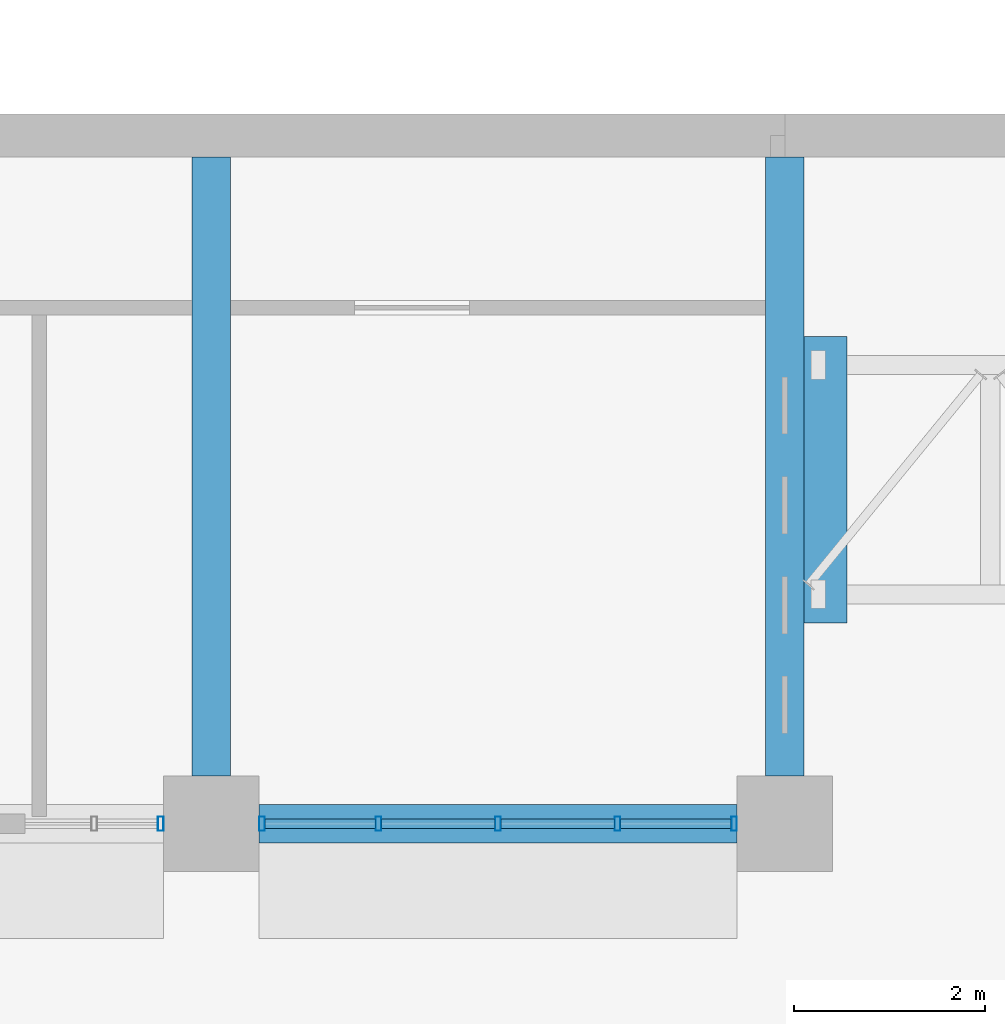
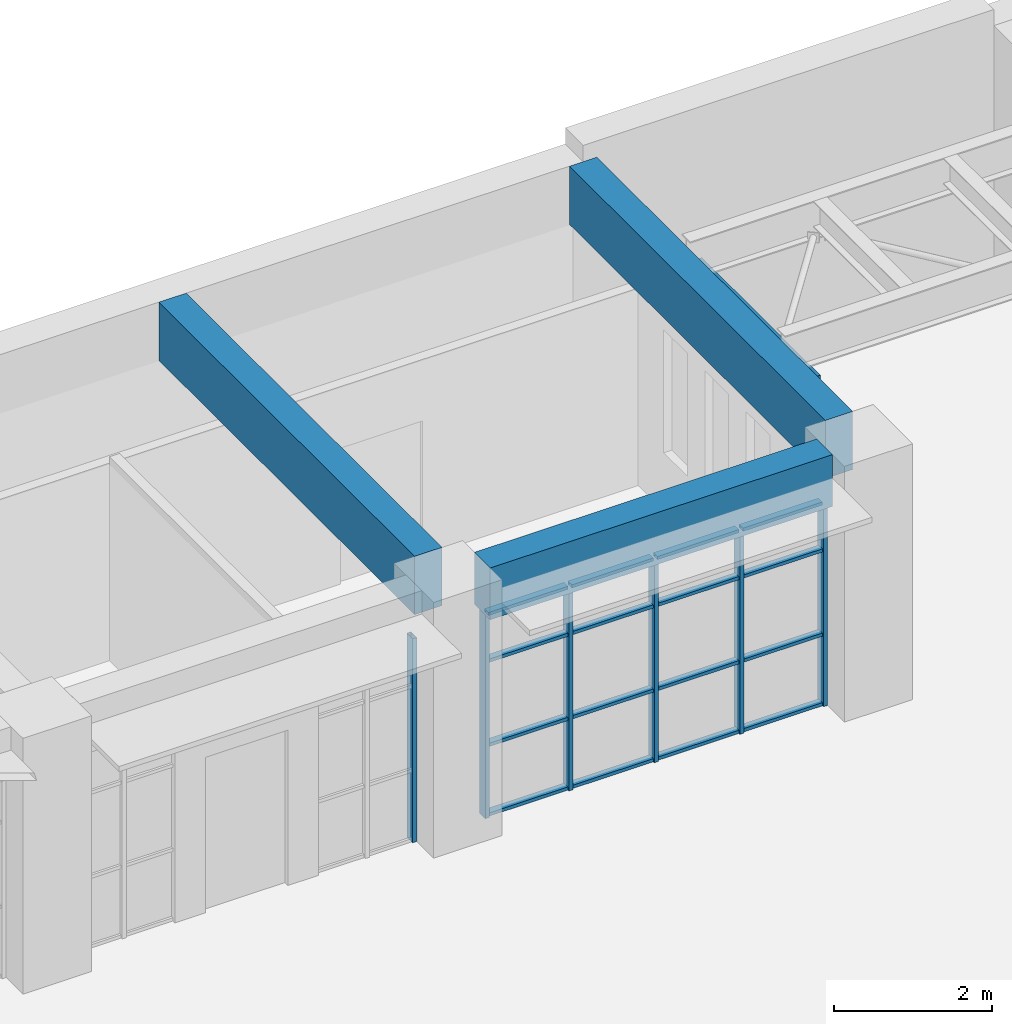
# One storey, part 33 of 103: 22 members, 4 beams, 2 elements without a shape of their own.
"""IFC4 building model written with IfcOpenShell, lengths in metres."""

from ifc_helpers import new_model, si_unit, direction, frame, origin, origin_2d, place, context, subcontext, project, spatial, rectangle, hollow_rectangle, extrude, material, material_profile, profile_set, type_object, element, aggregate, save


model = new_model("IFC4")

# Units and contexts
model_context = context("Model", 3, precision=1e-05, world=origin(), true_north=direction((0.0, 1.0)))
body_context = subcontext(model_context, "Body", "Model", "MODEL_VIEW")
ifc_project = project(units=[si_unit("LENGTHUNIT", "METRE"), si_unit("AREAUNIT", "SQUARE_METRE"), si_unit("VOLUMEUNIT", "CUBIC_METRE"), si_unit("PLANEANGLEUNIT", "RADIAN"), si_unit("MASSUNIT", "GRAM", prefix="KILO")], contexts=[model_context])

# Site, building, storey
site_placement = place(None, origin())
site = spatial("IfcSite", under=ifc_project, at=site_placement, CompositionType="ELEMENT")
building_placement = place(site_placement, origin())
building = spatial("IfcBuilding", under=site, at=building_placement, Name="Laocheng Heights Fire and Rescue Headquarters", CompositionType="ELEMENT")
storey_placement = place(building_placement, frame((0.0, 0.0, 4.199951171875)))
storey = spatial("IfcBuildingStorey", under=building, at=storey_placement, Name="L01", CompositionType="ELEMENT", Elevation=4.199951171875)

# Curtain wall, member
ifc_material_1 = material(Name="Dark anodised aluminium unitised curtain wall, low-e double glazing", Category="aluminium")
curtain_wall_type_1 = type_object("IfcCurtainWallType", Name="CW 1450 x 3150 HQ SOUTH RIBBON", PredefinedType="NOTDEFINED", material=ifc_material_1)
curtain_wall_1_placement = place(storey_placement, origin())
curtain_wall_1 = element("IfcCurtainWall", 1, at=curtain_wall_1_placement, inside=storey, type_object=curtain_wall_type_1, Name="X5-X HQ SOUTH L01", PredefinedType="NOTDEFINED")
ifc_material_2 = material(Name="Dark anodised aluminium 6063-T5 extrusion", Category="aluminium")
ifc_material_profile_1 = material_profile(ifc_material_2, hollow_rectangle(XDim=0.14990234375, YDim=0.06005859375, WallThickness=0.0029296875, at=origin_2d()), Name="AL MULLION 150x60x3 HQ SOUTH RIBBON")
ifc_profile_set_1 = profile_set([ifc_material_profile_1], Name="Dark anodised aluminium 6063-T5 extrusion")
member_type_1 = type_object("IfcMemberType", Name="AL MULLION 150x60x3 HQ SOUTH RIBBON", PredefinedType="MULLION", material=ifc_profile_set_1)
member_1_placement = place(storey_placement, frame((77.469970703125, 50.39990234375, 0.0), z_axis=(0.0, 0.0, 1.0), x_axis=(0.0, 1.0, 0.0)))
member_1 = element("IfcMember", 2, at=member_1_placement, type_object=member_type_1, Name="X5-X mullion 3", PredefinedType="MULLION", context=body_context, shape_type="SweptSolid", body=[
    extrude(hollow_rectangle(XDim=0.14990234375, YDim=0.06005859375, WallThickness=0.0029296875, at=origin_2d()), origin(), (0.0, 0.0, 1.0), 3.150146484375),
])
aggregate(curtain_wall_1, [member_1])

# Curtain wall, members
ifc_material_3 = material(Name="Dark anodised aluminium unitised curtain wall, low-e double glazing", Category="aluminium")
curtain_wall_type_2 = type_object("IfcCurtainWallType", Name="CW 5000 x 3150 HQ SOUTH RIBBON", PredefinedType="NOTDEFINED", material=ifc_material_3)
curtain_wall_2_placement = place(storey_placement, origin())
curtain_wall_2 = element("IfcCurtainWall", 3, at=curtain_wall_2_placement, inside=storey, type_object=curtain_wall_type_2, Name="X4-X HQ SOUTH L01", PredefinedType="NOTDEFINED")
member_2_placement = place(storey_placement, frame((78.530029296875, 50.39990234375, 0.0), z_axis=(0.0, 0.0, 1.0), x_axis=(0.0, 1.0, 0.0)))
member_2 = element("IfcMember", 4, at=member_2_placement, type_object=member_type_1, Name="X4-X mullion 1", PredefinedType="MULLION", context=body_context, shape_type="SweptSolid", body=[
    extrude(hollow_rectangle(XDim=0.14990234375, YDim=0.06005859375, WallThickness=0.0029296875, at=origin_2d()), origin(), (0.0, 0.0, 1.0), 3.150146484375),
])
member_3_placement = place(storey_placement, frame((79.75, 50.39990234375, 0.0), z_axis=(0.0, 0.0, 1.0), x_axis=(0.0, 1.0, 0.0)))
member_3 = element("IfcMember", 5, at=member_3_placement, type_object=member_type_1, Name="X4-X mullion 2", PredefinedType="MULLION", context=body_context, shape_type="SweptSolid", body=[
    extrude(hollow_rectangle(XDim=0.14990234375, YDim=0.06005859375, WallThickness=0.0029296875, at=origin_2d()), origin(), (0.0, 0.0, 1.0), 3.150146484375),
])
member_4_placement = place(storey_placement, frame((81.0, 50.39990234375, 0.0), z_axis=(0.0, 0.0, 1.0), x_axis=(0.0, 1.0, 0.0)))
member_4 = element("IfcMember", 6, at=member_4_placement, type_object=member_type_1, Name="X4-X mullion 3", PredefinedType="MULLION", context=body_context, shape_type="SweptSolid", body=[
    extrude(hollow_rectangle(XDim=0.14990234375, YDim=0.06005859375, WallThickness=0.0029296875, at=origin_2d()), origin(), (0.0, 0.0, 1.0), 3.150146484375),
])
member_5_placement = place(storey_placement, frame((82.25, 50.39990234375, 0.0), z_axis=(0.0, 0.0, 1.0), x_axis=(0.0, 1.0, 0.0)))
member_5 = element("IfcMember", 7, at=member_5_placement, type_object=member_type_1, Name="X4-X mullion 4", PredefinedType="MULLION", context=body_context, shape_type="SweptSolid", body=[
    extrude(hollow_rectangle(XDim=0.14990234375, YDim=0.06005859375, WallThickness=0.0029296875, at=origin_2d()), origin(), (0.0, 0.0, 1.0), 3.150146484375),
])
member_6_placement = place(storey_placement, frame((83.469970703125, 50.39990234375, 0.0), z_axis=(0.0, 0.0, 1.0), x_axis=(0.0, 1.0, 0.0)))
member_6 = element("IfcMember", 8, at=member_6_placement, type_object=member_type_1, Name="X4-X mullion 5", PredefinedType="MULLION", context=body_context, shape_type="SweptSolid", body=[
    extrude(hollow_rectangle(XDim=0.14990234375, YDim=0.06005859375, WallThickness=0.0029296875, at=origin_2d()), origin(), (0.0, 0.0, 1.0), 3.150146484375),
])
ifc_material_4 = material(Name="Dark anodised aluminium 6063-T5 extrusion", Category="aluminium")
ifc_material_profile_2 = material_profile(ifc_material_4, hollow_rectangle(XDim=0.10009765625, YDim=0.050048828125, WallThickness=0.0029296875, at=origin_2d()), Name="AL TRANSOM 100x50x3 HQ SOUTH RIBBON")
ifc_profile_set_2 = profile_set([ifc_material_profile_2], Name="Dark anodised aluminium 6063-T5 extrusion")
member_type_2 = type_object("IfcMemberType", Name="AL TRANSOM 100x50x3 HQ SOUTH RIBBON", PredefinedType="USERDEFINED", material=ifc_profile_set_2)
member_7_placement = place(storey_placement, frame((78.56005859375, 50.39990234375, 0.025146484375), z_axis=(1.0, 0.0, 0.0), x_axis=(0.0, 1.0, 0.0)))
member_7 = element("IfcMember", 9, at=member_7_placement, type_object=member_type_2, Name="X4-X transom 1.1", ObjectType="TRANSOM", PredefinedType="USERDEFINED", context=body_context, shape_type="SweptSolid", body=[
    extrude(hollow_rectangle(XDim=0.10009765625, YDim=0.050048828125, WallThickness=0.0029296875, at=origin_2d()), origin(), (0.0, 0.0, 1.0), 1.159912109375),
])
member_8_placement = place(storey_placement, frame((78.56005859375, 50.39990234375, 1.10009765625), z_axis=(1.0, 0.0, 0.0), x_axis=(0.0, 1.0, 0.0)))
member_8 = element("IfcMember", 10, at=member_8_placement, type_object=member_type_2, Name="X4-X transom 1.2", ObjectType="TRANSOM", PredefinedType="USERDEFINED", context=body_context, shape_type="SweptSolid", body=[
    extrude(hollow_rectangle(XDim=0.10009765625, YDim=0.050048828125, WallThickness=0.0029296875, at=origin_2d()), origin(), (0.0, 0.0, 1.0), 1.159912109375),
])
member_9_placement = place(storey_placement, frame((78.56005859375, 50.39990234375, 2.400146484375), z_axis=(1.0, 0.0, 0.0), x_axis=(0.0, 1.0, 0.0)))
member_9 = element("IfcMember", 11, at=member_9_placement, type_object=member_type_2, Name="X4-X transom 1.3", ObjectType="TRANSOM", PredefinedType="USERDEFINED", context=body_context, shape_type="SweptSolid", body=[
    extrude(hollow_rectangle(XDim=0.10009765625, YDim=0.050048828125, WallThickness=0.0029296875, at=origin_2d()), origin(), (0.0, 0.0, 1.0), 1.159912109375),
])
member_10_placement = place(storey_placement, frame((78.56005859375, 50.39990234375, 3.125), z_axis=(1.0, 0.0, 0.0), x_axis=(0.0, 1.0, 0.0)))
member_10 = element("IfcMember", 12, at=member_10_placement, type_object=member_type_2, Name="X4-X transom 1.4", ObjectType="TRANSOM", PredefinedType="USERDEFINED", context=body_context, shape_type="SweptSolid", body=[
    extrude(hollow_rectangle(XDim=0.10009765625, YDim=0.050048828125, WallThickness=0.0029296875, at=origin_2d()), origin(), (0.0, 0.0, 1.0), 1.159912109375),
])
member_11_placement = place(storey_placement, frame((79.780029296875, 50.39990234375, 0.025146484375), z_axis=(1.0, 0.0, 0.0), x_axis=(0.0, 1.0, 0.0)))
member_11 = element("IfcMember", 13, at=member_11_placement, type_object=member_type_2, Name="X4-X transom 2.1", ObjectType="TRANSOM", PredefinedType="USERDEFINED", context=body_context, shape_type="SweptSolid", body=[
    extrude(hollow_rectangle(XDim=0.10009765625, YDim=0.050048828125, WallThickness=0.0029296875, at=origin_2d()), origin(), (0.0, 0.0, 1.0), 1.18994140625),
])
member_12_placement = place(storey_placement, frame((79.780029296875, 50.39990234375, 1.10009765625), z_axis=(1.0, 0.0, 0.0), x_axis=(0.0, 1.0, 0.0)))
member_12 = element("IfcMember", 14, at=member_12_placement, type_object=member_type_2, Name="X4-X transom 2.2", ObjectType="TRANSOM", PredefinedType="USERDEFINED", context=body_context, shape_type="SweptSolid", body=[
    extrude(hollow_rectangle(XDim=0.10009765625, YDim=0.050048828125, WallThickness=0.0029296875, at=origin_2d()), origin(), (0.0, 0.0, 1.0), 1.18994140625),
])
member_13_placement = place(storey_placement, frame((79.780029296875, 50.39990234375, 2.400146484375), z_axis=(1.0, 0.0, 0.0), x_axis=(0.0, 1.0, 0.0)))
member_13 = element("IfcMember", 15, at=member_13_placement, type_object=member_type_2, Name="X4-X transom 2.3", ObjectType="TRANSOM", PredefinedType="USERDEFINED", context=body_context, shape_type="SweptSolid", body=[
    extrude(hollow_rectangle(XDim=0.10009765625, YDim=0.050048828125, WallThickness=0.0029296875, at=origin_2d()), origin(), (0.0, 0.0, 1.0), 1.18994140625),
])
member_14_placement = place(storey_placement, frame((79.780029296875, 50.39990234375, 3.125), z_axis=(1.0, 0.0, 0.0), x_axis=(0.0, 1.0, 0.0)))
member_14 = element("IfcMember", 16, at=member_14_placement, type_object=member_type_2, Name="X4-X transom 2.4", ObjectType="TRANSOM", PredefinedType="USERDEFINED", context=body_context, shape_type="SweptSolid", body=[
    extrude(hollow_rectangle(XDim=0.10009765625, YDim=0.050048828125, WallThickness=0.0029296875, at=origin_2d()), origin(), (0.0, 0.0, 1.0), 1.18994140625),
])
member_15_placement = place(storey_placement, frame((81.030029296875, 50.39990234375, 0.025146484375), z_axis=(1.0, 0.0, 0.0), x_axis=(0.0, 1.0, 0.0)))
member_15 = element("IfcMember", 17, at=member_15_placement, type_object=member_type_2, Name="X4-X transom 3.1", ObjectType="TRANSOM", PredefinedType="USERDEFINED", context=body_context, shape_type="SweptSolid", body=[
    extrude(hollow_rectangle(XDim=0.10009765625, YDim=0.050048828125, WallThickness=0.0029296875, at=origin_2d()), origin(), (0.0, 0.0, 1.0), 1.18994140625),
])
member_16_placement = place(storey_placement, frame((81.030029296875, 50.39990234375, 1.10009765625), z_axis=(1.0, 0.0, 0.0), x_axis=(0.0, 1.0, 0.0)))
member_16 = element("IfcMember", 18, at=member_16_placement, type_object=member_type_2, Name="X4-X transom 3.2", ObjectType="TRANSOM", PredefinedType="USERDEFINED", context=body_context, shape_type="SweptSolid", body=[
    extrude(hollow_rectangle(XDim=0.10009765625, YDim=0.050048828125, WallThickness=0.0029296875, at=origin_2d()), origin(), (0.0, 0.0, 1.0), 1.18994140625),
])
member_17_placement = place(storey_placement, frame((81.030029296875, 50.39990234375, 2.400146484375), z_axis=(1.0, 0.0, 0.0), x_axis=(0.0, 1.0, 0.0)))
member_17 = element("IfcMember", 19, at=member_17_placement, type_object=member_type_2, Name="X4-X transom 3.3", ObjectType="TRANSOM", PredefinedType="USERDEFINED", context=body_context, shape_type="SweptSolid", body=[
    extrude(hollow_rectangle(XDim=0.10009765625, YDim=0.050048828125, WallThickness=0.0029296875, at=origin_2d()), origin(), (0.0, 0.0, 1.0), 1.18994140625),
])
member_18_placement = place(storey_placement, frame((81.030029296875, 50.39990234375, 3.125), z_axis=(1.0, 0.0, 0.0), x_axis=(0.0, 1.0, 0.0)))
member_18 = element("IfcMember", 20, at=member_18_placement, type_object=member_type_2, Name="X4-X transom 3.4", ObjectType="TRANSOM", PredefinedType="USERDEFINED", context=body_context, shape_type="SweptSolid", body=[
    extrude(hollow_rectangle(XDim=0.10009765625, YDim=0.050048828125, WallThickness=0.0029296875, at=origin_2d()), origin(), (0.0, 0.0, 1.0), 1.18994140625),
])
member_19_placement = place(storey_placement, frame((82.280029296875, 50.39990234375, 0.025146484375), z_axis=(1.0, 0.0, 0.0), x_axis=(0.0, 1.0, 0.0)))
member_19 = element("IfcMember", 21, at=member_19_placement, type_object=member_type_2, Name="X4-X transom 4.1", ObjectType="TRANSOM", PredefinedType="USERDEFINED", context=body_context, shape_type="SweptSolid", body=[
    extrude(hollow_rectangle(XDim=0.10009765625, YDim=0.050048828125, WallThickness=0.0029296875, at=origin_2d()), origin(), (0.0, 0.0, 1.0), 1.159912109375),
])
member_20_placement = place(storey_placement, frame((82.280029296875, 50.39990234375, 1.10009765625), z_axis=(1.0, 0.0, 0.0), x_axis=(0.0, 1.0, 0.0)))
member_20 = element("IfcMember", 22, at=member_20_placement, type_object=member_type_2, Name="X4-X transom 4.2", ObjectType="TRANSOM", PredefinedType="USERDEFINED", context=body_context, shape_type="SweptSolid", body=[
    extrude(hollow_rectangle(XDim=0.10009765625, YDim=0.050048828125, WallThickness=0.0029296875, at=origin_2d()), origin(), (0.0, 0.0, 1.0), 1.159912109375),
])
member_21_placement = place(storey_placement, frame((82.280029296875, 50.39990234375, 2.400146484375), z_axis=(1.0, 0.0, 0.0), x_axis=(0.0, 1.0, 0.0)))
member_21 = element("IfcMember", 23, at=member_21_placement, type_object=member_type_2, Name="X4-X transom 4.3", ObjectType="TRANSOM", PredefinedType="USERDEFINED", context=body_context, shape_type="SweptSolid", body=[
    extrude(hollow_rectangle(XDim=0.10009765625, YDim=0.050048828125, WallThickness=0.0029296875, at=origin_2d()), origin(), (0.0, 0.0, 1.0), 1.159912109375),
])
member_22_placement = place(storey_placement, frame((82.280029296875, 50.39990234375, 3.125), z_axis=(1.0, 0.0, 0.0), x_axis=(0.0, 1.0, 0.0)))
member_22 = element("IfcMember", 24, at=member_22_placement, type_object=member_type_2, Name="X4-X transom 4.4", ObjectType="TRANSOM", PredefinedType="USERDEFINED", context=body_context, shape_type="SweptSolid", body=[
    extrude(hollow_rectangle(XDim=0.10009765625, YDim=0.050048828125, WallThickness=0.0029296875, at=origin_2d()), origin(), (0.0, 0.0, 1.0), 1.159912109375),
])
aggregate(curtain_wall_2, [member_2, member_3, member_4, member_5, member_6, member_7, member_8, member_9, member_10, member_11, member_12, member_13, member_14, member_15, member_16, member_17, member_18, member_19, member_20, member_21, member_22])

# Beams
ifc_material_5 = material(Name="Concrete C40", Category="concrete")
ifc_material_profile_3 = material_profile(ifc_material_5, rectangle(XDim=0.39990234375, YDim=0.800048828125, at=origin_2d()), Name="RC BEAM 400x800 HQ")
ifc_profile_set_3 = profile_set([ifc_material_profile_3], Name="Concrete C40")
beam_type_1 = type_object("IfcBeamType", Name="RC BEAM 400x800 HQ", PredefinedType="BEAM", material=ifc_profile_set_3)
beam_1_placement = place(storey_placement, frame((78.5, 50.39990234375, 3.550048828125), z_axis=(1.0, 0.0, 0.0), x_axis=(0.0, 1.0, 0.0)))
element("IfcBeam", 25, at=beam_1_placement, inside=storey, type_object=beam_type_1, Name="HQ beam L01", PredefinedType="BEAM", context=body_context, shape_type="SweptSolid", body=[
    extrude(rectangle(XDim=0.39990234375, YDim=0.800048828125, at=origin_2d()), origin(), (0.0, 0.0, 1.0), 5.0),
])
ifc_material_6 = material(Name="Concrete C40", Category="concrete")
ifc_material_profile_4 = material_profile(ifc_material_6, rectangle(XDim=0.39990234375, YDim=0.89990234375, at=origin_2d()), Name="RC BEAM 400x900 HQ")
ifc_profile_set_4 = profile_set([ifc_material_profile_4], Name="Concrete C40")
beam_type_2 = type_object("IfcBeamType", Name="RC BEAM 400x900 HQ", PredefinedType="BEAM", material=ifc_profile_set_4)
for number, where, z_axis, x_axis, name in (
    (26, (78.0, 50.89990234375, 3.5), (0.0, 1.0, 0.0), (-1.0, 0.0, 0.0), "HQ beam L01"),
    (27, (84.0, 50.89990234375, 3.5), (0.0, 1.0, 0.0), (-1.0, 0.0, 0.0), "HQ beam L01"),
):
    element("IfcBeam", number, at=place(storey_placement, frame(where, z_axis=z_axis, x_axis=x_axis)), inside=storey, type_object=beam_type_2, Name=name, PredefinedType="BEAM", context=body_context, shape_type="SweptSolid", body=[
        extrude(rectangle(XDim=0.39990234375, YDim=0.89990234375, at=origin_2d()), origin(), (0.0, 0.0, 1.0), 6.47509765625),
    ])
ifc_material_7 = material(Name="Concrete C40", Category="concrete")
ifc_material_profile_5 = material_profile(ifc_material_7, rectangle(XDim=0.449951171875, YDim=0.449951171875, at=origin_2d()), Name="RC CORBEL 450x450 BRIDGE SEAT")
ifc_profile_set_5 = profile_set([ifc_material_profile_5], Name="Concrete C40")
beam_type_3 = type_object("IfcBeamType", Name="RC CORBEL 450x450 BRIDGE SEAT", PredefinedType="BEAM", material=ifc_profile_set_5)
beam_2_placement = place(storey_placement, frame((84.425048828125, 52.5, 3.1552734375), z_axis=(0.0, 1.0, 0.0), x_axis=(-1.0, 0.0, 0.0)))
element("IfcBeam", 28, at=beam_2_placement, inside=storey, type_object=beam_type_3, Name="Bridge B3 corbel", PredefinedType="BEAM", context=body_context, shape_type="SweptSolid", body=[
    extrude(rectangle(XDim=0.449951171875, YDim=0.449951171875, at=origin_2d()), origin(), (0.0, 0.0, 1.0), 3.0),
])

save(model, "model.ifc")
